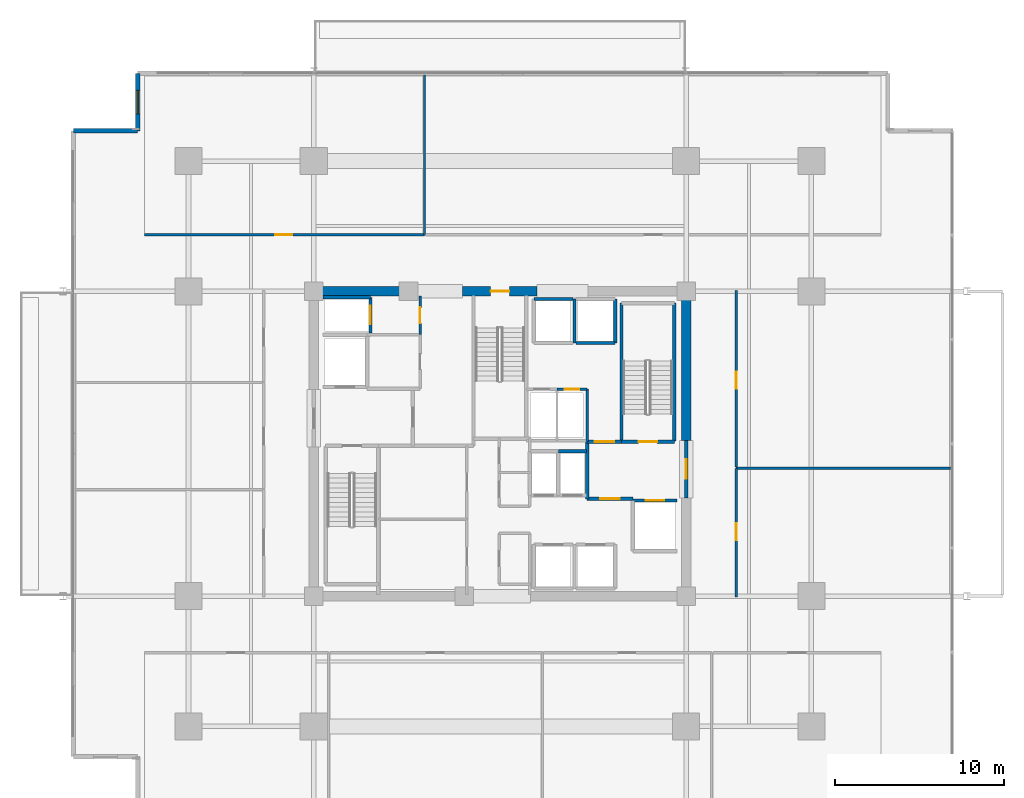
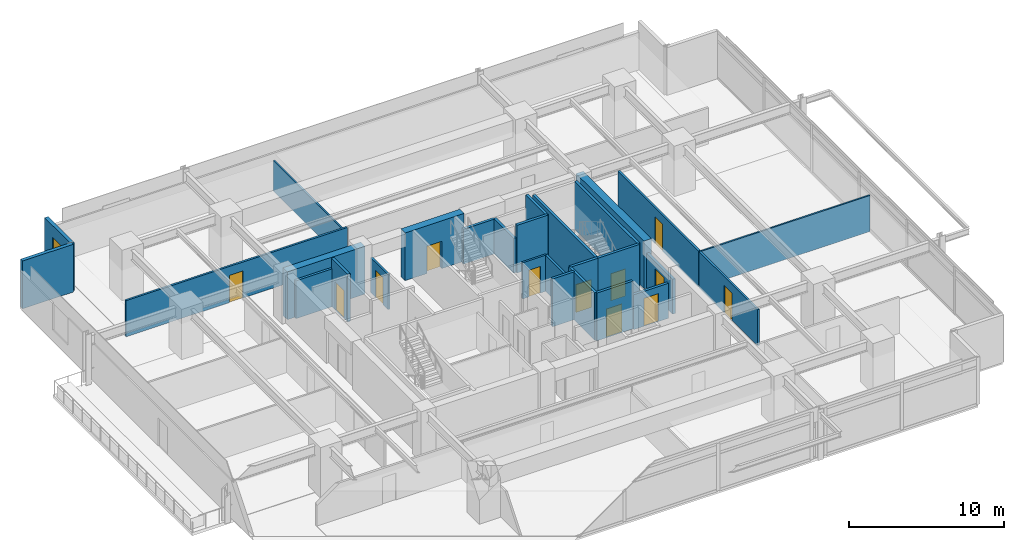
# One storey, part 18 of 23: 28 walls, 12 doors, 1 window, 13 openings.
"""IFC4 building model written with IfcOpenShell, lengths in metres."""

from ifc_helpers import new_model, si_unit, direction, frame, frame_2d, origin, place, context, subcontext, project, spatial, rectangle, extrude, material, layer, layer_set, type_object, element, fill, save


model = new_model("IFC4")

# Units and contexts
model_context = context("Model", 3, precision=1e-05, world=origin(), true_north=direction((0.0, 1.0)))
body_context = subcontext(model_context, "Body", "Model", "MODEL_VIEW")
ifc_project = project(units=[si_unit("LENGTHUNIT", "METRE"), si_unit("AREAUNIT", "SQUARE_METRE"), si_unit("VOLUMEUNIT", "CUBIC_METRE"), si_unit("PLANEANGLEUNIT", "RADIAN"), si_unit("MASSUNIT", "GRAM", prefix="KILO")], contexts=[model_context])

# Site, building, storey
site_placement = place(None, origin())
site = spatial("IfcSite", under=ifc_project, at=site_placement, CompositionType="ELEMENT")
building_placement = place(site_placement, origin())
building = spatial("IfcBuilding", under=site, at=building_placement, Name="Kovane Verandah Tower", CompositionType="ELEMENT")
storey_placement = place(building_placement, frame((0.0, 0.0, 168.39990234375)))
storey = spatial("IfcBuildingStorey", under=building, at=storey_placement, Name="L39", CompositionType="ELEMENT", Elevation=168.39990234375)

# Wall, opening, door
ifc_material_1 = material(Name="Fire-Rated Gypsum Stud Partition", Category="gypsum")
ifc_layer_1 = layer(ifc_material_1, 0.14990234375)
ifc_layer_set_1 = layer_set([ifc_layer_1], Name="Fire-Rated Gypsum Stud Partition")
wall_type_1 = type_object("IfcWallType", Name="WL-COR-150", PredefinedType="PARTITIONING", material=ifc_layer_set_1)
wall_1_placement = place(storey_placement, frame((35.280029296875, 33.949951171875, 0.0), z_axis=(0.0, 0.0, 1.0), x_axis=(0.0, 1.0, 0.0)))
wall_1 = element("IfcWall", 1, at=wall_1_placement, inside=storey, type_object=wall_type_1, Name="L39 Goods Lift Lobby East Fire Partition", PredefinedType="PARTITIONING", context=body_context, shape_type="SweptSolid", body=[
    extrude(rectangle(XDim=2.27001953125, YDim=0.14990234375, at=frame_2d((1.135009765625, 0.0))), origin(), (0.0, 0.0, 1.0), 2.755126953125),
])
opening_1_placement = place(wall_1_placement, frame((0.659912109375, 0.0, 0.0)))
opening_1 = element("IfcOpeningElement", 2, at=opening_1_placement, cuts=wall_1, Name="Opening DR-L39-008", PredefinedType="OPENING", context=body_context, shape_type="SweptSolid", body=[
    extrude(rectangle(XDim=0.949951171875, YDim=2.14990234375, at=frame_2d((0.47509765625, 1.074951171875))), frame((0.0, 0.074951171875, 0.0), z_axis=(0.0, -1.0, 0.0), x_axis=(1.0, 0.0, 0.0)), (0.0, 0.0, 1.0), 0.14990234375),
])
ifc_material_2 = material(Name="Fire-Rated Steel Refuge and Lobby Door", Category="steel")
door_type_1 = type_object("IfcDoorType", Name="DR-FIRE-950", OperationType="SINGLE_SWING_LEFT", PredefinedType="DOOR", material=ifc_material_2)
door_1_placement = place(opening_1_placement, origin())
door_1 = element("IfcDoor", 3, at=door_1_placement, inside=storey, type_object=door_type_1, Name="L39 Goods Lift Lobby Fire Door", OperationType="SINGLE_SWING_RIGHT", OverallHeight=2.14990234375, OverallWidth=0.949951171875, PredefinedType="DOOR", context=body_context, shape_type="SweptSolid", body=[
    extrude(rectangle(XDim=0.949951171875, YDim=2.14990234375, at=frame_2d((0.47509765625, 1.074951171875))), frame((0.0, 0.02490234375, 0.0), z_axis=(0.0, -1.0, 0.0), x_axis=(1.0, 0.0, 0.0)), (0.0, 0.0, 1.0), 0.050048828125),
])
fill(opening_1, door_1)

# Wall
wall_2_placement = place(storey_placement, frame((45.14990234375, 27.6201171875, 0.0), z_axis=(0.0, 0.0, 1.0), x_axis=(0.0, 1.0, 0.0)))
element("IfcWall", 4, at=wall_2_placement, inside=storey, type_object=wall_type_1, Name="L39 East Core Service Riser East Wall", PredefinedType="PARTITIONING", context=body_context, shape_type="SweptSolid", body=[
    extrude(rectangle(XDim=3.099853515625, YDim=0.14990234375, at=frame_2d((1.5498046875, 0.0))), origin(), (0.0, 0.0, 1.0), 2.85009765625),
])

# Wall, opening, door
wall_3_placement = place(storey_placement, frame((43.360107421875, 30.719970703125, 0.0), z_axis=(0.0, 0.0, 1.0), x_axis=(1.0, 0.0, 0.0)))
wall_3 = element("IfcWall", 5, at=wall_3_placement, inside=storey, type_object=wall_type_1, Name="L39 Smoke Extract Duct Room Partition", PredefinedType="PARTITIONING", context=body_context, shape_type="SweptSolid", body=[
    extrude(rectangle(XDim=1.789794921875, YDim=0.14990234375, at=frame_2d((0.89501953125, 0.0))), origin(), (0.0, 0.0, 1.0), 2.85009765625),
])
opening_2_placement = place(wall_3_placement, frame((0.455078125, 0.0, 0.0)))
opening_2 = element("IfcOpeningElement", 6, at=opening_2_placement, cuts=wall_3, Name="Opening DR-L39-017", PredefinedType="OPENING", context=body_context, shape_type="SweptSolid", body=[
    extrude(rectangle(XDim=0.8798828125, YDim=2.10009765625, at=frame_2d((0.43994140625, 1.050048828125))), frame((0.0, 0.074951171875, 0.0), z_axis=(0.0, -1.0, 0.0), x_axis=(1.0, 0.0, 0.0)), (0.0, 0.0, 1.0), 0.14990234375),
])
ifc_material_3 = material(Name="Fire-Rated Steel Riser Access Door", Category="steel")
door_type_2 = type_object("IfcDoorType", Name="DR-RISER-880", OperationType="SINGLE_SWING_LEFT", PredefinedType="DOOR", material=ifc_material_3)
door_2_placement = place(opening_2_placement, origin())
door_2 = element("IfcDoor", 7, at=door_2_placement, inside=storey, type_object=door_type_2, Name="L39 Smoke Extract Duct Room Door", OperationType="SINGLE_SWING_LEFT", OverallHeight=2.10009765625, OverallWidth=0.8798828125, PredefinedType="DOOR", context=body_context, shape_type="SweptSolid", body=[
    extrude(rectangle(XDim=0.8798828125, YDim=2.10009765625, at=frame_2d((0.43994140625, 1.050048828125))), frame((0.0, 0.02490234375, 0.0), z_axis=(0.0, -1.0, 0.0), x_axis=(1.0, 0.0, 0.0)), (0.0, 0.0, 1.0), 0.050048828125),
])
fill(opening_2, door_2)

wall_4_placement = place(storey_placement, frame((18.996826171875, 39.85009765625, 0.0), z_axis=(0.0, 0.0, 1.0), x_axis=(1.0, 0.0, 0.0)))
wall_4 = element("IfcWall", 8, at=wall_4_placement, inside=storey, type_object=wall_type_1, Name="L39 Focus Studio N1 Corridor Partition", PredefinedType="PARTITIONING", context=body_context, shape_type="SweptSolid", body=[
    extrude(rectangle(XDim=16.53857421875, YDim=0.14990234375, at=frame_2d((8.269287109375, 0.0))), origin(), (0.0, 0.0, 1.0), 2.85009765625),
])
opening_3_placement = place(wall_4_placement, frame((7.734375, 0.0, 0.0)))
opening_3 = element("IfcOpeningElement", 9, at=opening_3_placement, cuts=wall_4, Name="Opening DR-L39-018", PredefinedType="OPENING", context=body_context, shape_type="SweptSolid", body=[
    extrude(rectangle(XDim=1.0, YDim=2.14990234375, at=frame_2d((0.5, 1.074951171875))), frame((0.0, 0.074951171875, 0.0), z_axis=(0.0, -1.0, 0.0), x_axis=(1.0, 0.0, 0.0)), (0.0, 0.0, 1.0), 0.14990234375),
])
ifc_material_4 = material(Name="FSC Spotted-Gum Timber Fire-Rated Office Door", Category="wood")
door_type_3 = type_object("IfcDoorType", Name="DR-OFF-1000", OperationType="SINGLE_SWING_LEFT", PredefinedType="DOOR", material=ifc_material_4)
door_3_placement = place(opening_3_placement, origin())
door_3 = element("IfcDoor", 10, at=door_3_placement, inside=storey, type_object=door_type_3, Name="L39 Focus Studio N1 Entrance Door", OperationType="SINGLE_SWING_RIGHT", OverallHeight=2.14990234375, OverallWidth=1.0, PredefinedType="DOOR", context=body_context, shape_type="SweptSolid", body=[
    extrude(rectangle(XDim=1.0, YDim=2.14990234375, at=frame_2d((0.5, 1.074951171875))), frame((0.0, 0.02490234375, 0.0), z_axis=(0.0, -1.0, 0.0), x_axis=(1.0, 0.0, 0.0)), (0.0, 0.0, 1.0), 0.050048828125),
])
fill(opening_3, door_3)

wall_5_placement = place(storey_placement, frame((53.949951171875, 18.449951171875, 0.0), z_axis=(0.0, 0.0, 1.0), x_axis=(0.0, 1.0, 0.0)))
wall_5 = element("IfcWall", 11, at=wall_5_placement, inside=storey, type_object=wall_type_1, Name="L39 Breakout Pantry E1 Corridor Partition", PredefinedType="PARTITIONING", context=body_context, shape_type="SweptSolid", body=[
    extrude(rectangle(XDim=7.60205078125, YDim=0.14990234375, at=frame_2d((3.801025390625, 0.0))), origin(), (0.0, 0.0, 1.0), 2.85009765625),
])
opening_4_placement = place(wall_5_placement, frame((3.341064453125, 0.0, 0.0)))
opening_4 = element("IfcOpeningElement", 12, at=opening_4_placement, cuts=wall_5, Name="Opening DR-L39-012", PredefinedType="OPENING", context=body_context, shape_type="SweptSolid", body=[
    extrude(rectangle(XDim=1.0, YDim=2.14990234375, at=frame_2d((0.5, 1.074951171875))), frame((0.0, 0.074951171875, 0.0), z_axis=(0.0, -1.0, 0.0), x_axis=(1.0, 0.0, 0.0)), (0.0, 0.0, 1.0), 0.14990234375),
])
door_4_placement = place(opening_4_placement, origin())
door_4 = element("IfcDoor", 13, at=door_4_placement, inside=storey, type_object=door_type_3, Name="L39 Breakout Pantry E1 Entrance Door", OperationType="SINGLE_SWING_LEFT", OverallHeight=2.14990234375, OverallWidth=1.0, PredefinedType="DOOR", context=body_context, shape_type="SweptSolid", body=[
    extrude(rectangle(XDim=1.0, YDim=2.14990234375, at=frame_2d((0.5, 1.074951171875))), frame((0.0, 0.02490234375, 0.0), z_axis=(0.0, -1.0, 0.0), x_axis=(1.0, 0.0, 0.0)), (0.0, 0.0, 1.0), 0.050048828125),
])
fill(opening_4, door_4)

wall_6_placement = place(storey_placement, frame((53.949951171875, 26.1220703125, 0.0), z_axis=(0.0, 0.0, 1.0), x_axis=(0.0, 1.0, 0.0)))
wall_6 = element("IfcWall", 14, at=wall_6_placement, inside=storey, type_object=wall_type_1, Name="L39 Collaboration Hub E2 Corridor Partition", PredefinedType="PARTITIONING", context=body_context, shape_type="SweptSolid", body=[
    extrude(rectangle(XDim=10.427978515625, YDim=0.14990234375, at=frame_2d((5.2138671875, 0.0))), origin(), (0.0, 0.0, 1.0), 2.85009765625),
])
opening_5_placement = place(wall_6_placement, frame((4.638916015625, 0.0, 0.0)))
opening_5 = element("IfcOpeningElement", 15, at=opening_5_placement, cuts=wall_6, Name="Opening DR-L39-013", PredefinedType="OPENING", context=body_context, shape_type="SweptSolid", body=[
    extrude(rectangle(XDim=1.0, YDim=2.14990234375, at=frame_2d((0.5, 1.074951171875))), frame((0.0, 0.074951171875, 0.0), z_axis=(0.0, -1.0, 0.0), x_axis=(1.0, 0.0, 0.0)), (0.0, 0.0, 1.0), 0.14990234375),
])
door_5_placement = place(opening_5_placement, origin())
door_5 = element("IfcDoor", 16, at=door_5_placement, inside=storey, type_object=door_type_3, Name="L39 Collaboration Hub E2 Entrance Door", OperationType="SINGLE_SWING_RIGHT", OverallHeight=2.14990234375, OverallWidth=1.0, PredefinedType="DOOR", context=body_context, shape_type="SweptSolid", body=[
    extrude(rectangle(XDim=1.0, YDim=2.14990234375, at=frame_2d((0.5, 1.074951171875))), frame((0.0, 0.02490234375, 0.0), z_axis=(0.0, -1.0, 0.0), x_axis=(1.0, 0.0, 0.0)), (0.0, 0.0, 1.0), 0.050048828125),
])
fill(opening_5, door_5)

# Wall
ifc_material_5 = material(Name="Concrete C60/75", Category="concrete")
ifc_layer_2 = layer(ifc_material_5, 0.550048828125)
ifc_layer_set_2 = layer_set([ifc_layer_2], Name="Concrete C60/75")
wall_type_2 = type_object("IfcWallType", Name="WL-CORE-550", PredefinedType="SHEAR", material=ifc_layer_set_2)
wall_7_placement = place(storey_placement, frame((29.0, 36.5, 0.0), z_axis=(0.0, 0.0, 1.0), x_axis=(1.0, 0.0, 0.0)))
element("IfcWall", 17, at=wall_7_placement, inside=storey, type_object=wall_type_2, Name="L39 Core Shear Wall CN-1", PredefinedType="SHEAR", context=body_context, shape_type="SweptSolid", body=[
    extrude(rectangle(XDim=5.800048828125, YDim=0.550048828125, at=frame_2d((2.89990234375, 0.0))), origin(), (0.0, 0.0, 1.0), 3.775146484375),
])

# Wall, opening, door
wall_8_placement = place(storey_placement, frame((37.800048828125, 36.5, 0.0), z_axis=(0.0, 0.0, 1.0), x_axis=(1.0, 0.0, 0.0)))
wall_8 = element("IfcWall", 18, at=wall_8_placement, inside=storey, type_object=wall_type_2, Name="L39 Core Shear Wall CN-2", PredefinedType="SHEAR", context=body_context, shape_type="SweptSolid", body=[
    extrude(rectangle(XDim=4.39990234375, YDim=0.550048828125, at=frame_2d((2.199951171875, 0.0))), origin(), (0.0, 0.0, 1.0), 3.775146484375),
])
opening_6_placement = place(wall_8_placement, frame((1.64990234375, 0.0, 0.0)))
opening_6 = element("IfcOpeningElement", 19, at=opening_6_placement, cuts=wall_8, Name="Opening DR-L39-011", PredefinedType="OPENING", context=body_context, shape_type="SweptSolid", body=[
    extrude(rectangle(XDim=1.10009765625, YDim=2.14990234375, at=frame_2d((0.550048828125, 1.074951171875))), frame((0.0, 0.27490234375, 0.0), z_axis=(0.0, -1.0, 0.0), x_axis=(1.0, 0.0, 0.0)), (0.0, 0.0, 1.0), 0.550048828125),
])
ifc_material_6 = material(Name="Fire-Rated Steel Exit Door", Category="steel")
door_type_4 = type_object("IfcDoorType", Name="DR-STAIR-1100", OperationType="SINGLE_SWING_LEFT", PredefinedType="DOOR", material=ifc_material_6)
door_6_placement = place(opening_6_placement, origin())
door_6 = element("IfcDoor", 20, at=door_6_placement, inside=storey, type_object=door_type_4, Name="L39 ST-03 Fire Exit Stair Door", OperationType="SINGLE_SWING_RIGHT", OverallHeight=2.14990234375, OverallWidth=1.10009765625, PredefinedType="DOOR", context=body_context, shape_type="SweptSolid", body=[
    extrude(rectangle(XDim=1.10009765625, YDim=2.14990234375, at=frame_2d((0.550048828125, 1.074951171875))), frame((0.0, 0.02490234375, 0.0), z_axis=(0.0, -1.0, 0.0), x_axis=(1.0, 0.0, 0.0)), (0.0, 0.0, 1.0), 0.050048828125),
])
fill(opening_6, door_6)

# Walls
wall_9_placement = place(storey_placement, frame((51.0, 27.699951171875, 0.0), z_axis=(0.0, 0.0, 1.0), x_axis=(0.0, 1.0, 0.0)))
element("IfcWall", 21, at=wall_9_placement, inside=storey, type_object=wall_type_2, Name="L39 Core Shear Wall CE-2", PredefinedType="SHEAR", context=body_context, shape_type="SweptSolid", body=[
    extrude(rectangle(XDim=8.800048828125, YDim=0.550048828125, at=frame_2d((4.39990234375, 0.0))), origin(), (0.0, 0.0, 1.0), 3.775146484375),
])
ifc_material_7 = material(Name="Concrete C45/55 Fire Wall", Category="concrete")
ifc_layer_3 = layer(ifc_material_7, 0.199951171875)
ifc_layer_set_3 = layer_set([ifc_layer_3], Name="Concrete C45/55 Fire Wall")
wall_type_3 = type_object("IfcWallType", Name="WL-FFL-200", PredefinedType="PARTITIONING", material=ifc_layer_set_3)
wall_10_placement = place(storey_placement, frame((45.14990234375, 24.25, 0.0), z_axis=(0.0, 0.0, 1.0), x_axis=(0.0, 1.0, 0.0)))
element("IfcWall", 22, at=wall_10_placement, inside=storey, type_object=wall_type_3, Name="L39 East Firefighting Lobby West Fire Wall", PredefinedType="PARTITIONING", context=body_context, shape_type="SweptSolid", body=[
    extrude(rectangle(XDim=3.3701171875, YDim=0.199951171875, at=frame_2d((1.68505859375, 0.0))), origin(), (0.0, 0.0, 1.0), 3.775146484375),
])

# Wall, opening, door
wall_11_placement = place(storey_placement, frame((45.14990234375, 24.25, 0.0), z_axis=(0.0, 0.0, 1.0), x_axis=(1.0, 0.0, 0.0)))
wall_11 = element("IfcWall", 23, at=wall_11_placement, inside=storey, type_object=wall_type_3, Name="W-L39-FFLE-S", PredefinedType="PARTITIONING", context=body_context, shape_type="SweptSolid", body=[
    extrude(rectangle(XDim=2.7001953125, YDim=0.199951171875, at=frame_2d((1.35009765625, 0.0))), origin(), (0.0, 0.0, 1.0), 3.775146484375),
])
opening_7_placement = place(wall_11_placement, frame((0.77490234375, 0.0, 0.0)))
opening_7 = element("IfcOpeningElement", 24, at=opening_7_placement, cuts=wall_11, Name="Opening DR-L39-003", PredefinedType="OPENING", context=body_context, shape_type="SweptSolid", body=[
    extrude(rectangle(XDim=1.14990234375, YDim=2.199951171875, at=frame_2d((0.574951171875, 1.10009765625))), frame((0.0, 0.10009765625, 0.0), z_axis=(0.0, -1.0, 0.0), x_axis=(1.0, 0.0, 0.0)), (0.0, 0.0, 1.0), 0.199951171875),
])
ifc_material_8 = material(Name="Smoke-Sealed Firefighting Lobby Door", Category="steel")
door_type_5 = type_object("IfcDoorType", Name="DR-FFL-1150", OperationType="SINGLE_SWING_LEFT", PredefinedType="DOOR", material=ifc_material_8)
door_7_placement = place(opening_7_placement, origin())
door_7 = element("IfcDoor", 25, at=door_7_placement, inside=storey, type_object=door_type_5, Name="L39 East Firefighting Lobby Inner Door", OperationType="SINGLE_SWING_RIGHT", OverallHeight=2.199951171875, OverallWidth=1.14990234375, PredefinedType="DOOR", context=body_context, shape_type="SweptSolid", body=[
    extrude(rectangle(XDim=1.14990234375, YDim=2.199951171875, at=frame_2d((0.574951171875, 1.10009765625))), frame((0.0, 0.02490234375, 0.0), z_axis=(0.0, -1.0, 0.0), x_axis=(1.0, 0.0, 0.0)), (0.0, 0.0, 1.0), 0.050048828125),
])
fill(opening_7, door_7)

wall_12_placement = place(storey_placement, frame((45.14990234375, 27.6201171875, 0.0), z_axis=(0.0, 0.0, 1.0), x_axis=(1.0, 0.0, 0.0)))
wall_12 = element("IfcWall", 26, at=wall_12_placement, inside=storey, type_object=wall_type_3, Name="W-L39-FFLE-N", PredefinedType="PARTITIONING", context=body_context, shape_type="SweptSolid", body=[
    extrude(rectangle(XDim=2.030029296875, YDim=0.199951171875, at=frame_2d((1.01513671875, 0.0))), origin(), (0.0, 0.0, 1.0), 3.775146484375),
])
opening_8_placement = place(wall_12_placement, frame((0.43994140625, 0.0, 0.0)))
opening_8 = element("IfcOpeningElement", 27, at=opening_8_placement, cuts=wall_12, Name="Opening DR-L39-004", PredefinedType="OPENING", context=body_context, shape_type="SweptSolid", body=[
    extrude(rectangle(XDim=1.14990234375, YDim=2.199951171875, at=frame_2d((0.574951171875, 1.10009765625))), frame((0.0, 0.10009765625, 0.0), z_axis=(0.0, -1.0, 0.0), x_axis=(1.0, 0.0, 0.0)), (0.0, 0.0, 1.0), 0.199951171875),
])
door_8_placement = place(opening_8_placement, origin())
door_8 = element("IfcDoor", 28, at=door_8_placement, inside=storey, type_object=door_type_5, Name="L39 East Firefighting Lobby Shuttle Link Door", OperationType="SINGLE_SWING_LEFT", OverallHeight=2.199951171875, OverallWidth=1.14990234375, PredefinedType="DOOR", context=body_context, shape_type="SweptSolid", body=[
    extrude(rectangle(XDim=1.14990234375, YDim=2.199951171875, at=frame_2d((0.574951171875, 1.10009765625))), frame((0.0, 0.02490234375, 0.0), z_axis=(0.0, -1.0, 0.0), x_axis=(1.0, 0.0, 0.0)), (0.0, 0.0, 1.0), 0.050048828125),
])
fill(opening_8, door_8)

wall_13_placement = place(storey_placement, frame((51.0, 24.300048828125, 0.0), z_axis=(0.0, 0.0, 1.0), x_axis=(0.0, 1.0, 0.0)))
wall_13 = element("IfcWall", 29, at=wall_13_placement, inside=storey, type_object=wall_type_3, Name="W-L39-FFLE-OUT", PredefinedType="PARTITIONING", context=body_context, shape_type="SweptSolid", body=[
    extrude(rectangle(XDim=3.39990234375, YDim=0.199951171875, at=frame_2d((1.699951171875, 0.0))), origin(), (0.0, 0.0, 1.0), 2.755126953125),
])
opening_9_placement = place(wall_13_placement, frame((1.125, 0.0, 0.0)))
opening_9 = element("IfcOpeningElement", 30, at=opening_9_placement, cuts=wall_13, Name="Opening DR-L39-005", PredefinedType="OPENING", context=body_context, shape_type="SweptSolid", body=[
    extrude(rectangle(XDim=1.14990234375, YDim=2.199951171875, at=frame_2d((0.574951171875, 1.10009765625))), frame((0.0, 0.10009765625, 0.0), z_axis=(0.0, -1.0, 0.0), x_axis=(1.0, 0.0, 0.0)), (0.0, 0.0, 1.0), 0.199951171875),
])
door_9_placement = place(opening_9_placement, origin())
door_9 = element("IfcDoor", 31, at=door_9_placement, inside=storey, type_object=door_type_5, Name="L39 East Firefighting Lobby Corridor Door", OperationType="SINGLE_SWING_LEFT", OverallHeight=2.199951171875, OverallWidth=1.14990234375, PredefinedType="DOOR", context=body_context, shape_type="SweptSolid", body=[
    extrude(rectangle(XDim=1.14990234375, YDim=2.199951171875, at=frame_2d((0.574951171875, 1.10009765625))), frame((0.0, 0.02490234375, 0.0), z_axis=(0.0, -1.0, 0.0), x_axis=(1.0, 0.0, 0.0)), (0.0, 0.0, 1.0), 0.050048828125),
])
fill(opening_9, door_9)

ifc_material_9 = material(Name="Concrete C45/55 Lift Shaft Wall", Category="concrete")
ifc_layer_4 = layer(ifc_material_9, 0.199951171875)
ifc_layer_set_4 = layer_set([ifc_layer_4], Name="Concrete C45/55 Lift Shaft Wall")
wall_type_4 = type_object("IfcWallType", Name="WL-LIFT-200", PredefinedType="SOLIDWALL", material=ifc_layer_set_4)
wall_14_placement = place(storey_placement, frame((50.449951171875, 24.14990234375, 0.0), z_axis=(0.0, 0.0, 1.0), x_axis=(-1.0, 0.0, 0.0)))
wall_14 = element("IfcWall", 32, at=wall_14_placement, inside=storey, type_object=wall_type_4, Name="L39 Lift FL-02 N Shaft Wall", PredefinedType="SOLIDWALL", context=body_context, shape_type="SweptSolid", body=[
    extrude(rectangle(XDim=2.599853515625, YDim=0.199951171875, at=frame_2d((1.2998046875, 0.0))), origin(), (0.0, 0.0, 1.0), 2.755126953125),
])
opening_10_placement = place(wall_14_placement, frame((0.75, 0.0, 0.0)))
opening_10 = element("IfcOpeningElement", 33, at=opening_10_placement, cuts=wall_14, Name="Opening LD-L39-002", PredefinedType="OPENING", context=body_context, shape_type="SweptSolid", body=[
    extrude(rectangle(XDim=1.10009765625, YDim=2.199951171875, at=frame_2d((0.550048828125, 1.10009765625))), frame((0.0, 0.10009765625, 0.0), z_axis=(0.0, -1.0, 0.0), x_axis=(1.0, 0.0, 0.0)), (0.0, 0.0, 1.0), 0.199951171875),
])
ifc_material_10 = material(Name="Brushed Stainless Steel Sliding Lift Landing Door", Category="steel")
door_type_6 = type_object("IfcDoorType", Name="DR-LIFT-1100", OperationType="SLIDING_TO_RIGHT", PredefinedType="DOOR", material=ifc_material_10)
door_10_placement = place(opening_10_placement, origin())
door_10 = element("IfcDoor", 34, at=door_10_placement, inside=storey, type_object=door_type_6, Name="L39 Lift FL-02 Sliding Landing Door", OperationType="SLIDING_TO_RIGHT", OverallHeight=2.199951171875, OverallWidth=1.10009765625, PredefinedType="DOOR", context=body_context, shape_type="SweptSolid", body=[
    extrude(rectangle(XDim=1.10009765625, YDim=2.199951171875, at=frame_2d((0.550048828125, 1.10009765625))), frame((0.0, 0.02490234375, 0.0), z_axis=(0.0, -1.0, 0.0), x_axis=(1.0, 0.0, 0.0)), (0.0, 0.0, 1.0), 0.050048828125),
])
fill(opening_10, door_10)

# Wall
wall_15_placement = place(storey_placement, frame((32.35009765625, 36.14990234375, 0.0), z_axis=(0.0, 0.0, 1.0), x_axis=(-1.0, 0.0, 0.0)))
element("IfcWall", 35, at=wall_15_placement, inside=storey, type_object=wall_type_4, Name="L39 Lift GL-01 N Shaft Wall", PredefinedType="SOLIDWALL", context=body_context, shape_type="SweptSolid", body=[
    extrude(rectangle(XDim=2.800048828125, YDim=0.199951171875, at=frame_2d((1.39990234375, 0.0))), origin(), (0.0, 0.0, 1.0), 2.9853515625),
])

# Wall, opening, door
wall_16_placement = place(storey_placement, frame((32.35009765625, 34.050048828125, 0.0), z_axis=(0.0, 0.0, 1.0), x_axis=(0.0, 1.0, 0.0)))
wall_16 = element("IfcWall", 36, at=wall_16_placement, inside=storey, type_object=wall_type_4, Name="L39 Lift GL-01 E Shaft Wall", PredefinedType="SOLIDWALL", context=body_context, shape_type="SweptSolid", body=[
    extrude(rectangle(XDim=2.099853515625, YDim=0.199951171875, at=frame_2d((1.0498046875, 0.0))), origin(), (0.0, 0.0, 1.0), 3.775146484375),
])
opening_11_placement = place(wall_16_placement, frame((0.5, 0.0, 0.0)))
opening_11 = element("IfcOpeningElement", 37, at=opening_11_placement, cuts=wall_16, Name="Opening LD-L39-003", PredefinedType="OPENING", context=body_context, shape_type="SweptSolid", body=[
    extrude(rectangle(XDim=1.10009765625, YDim=2.199951171875, at=frame_2d((0.550048828125, 1.10009765625))), frame((0.0, 0.10009765625, 0.0), z_axis=(0.0, -1.0, 0.0), x_axis=(1.0, 0.0, 0.0)), (0.0, 0.0, 1.0), 0.199951171875),
])
door_11_placement = place(opening_11_placement, origin())
door_11 = element("IfcDoor", 38, at=door_11_placement, inside=storey, type_object=door_type_6, Name="L39 Lift GL-01 Sliding Landing Door", OperationType="SLIDING_TO_RIGHT", OverallHeight=2.199951171875, OverallWidth=1.10009765625, PredefinedType="DOOR", context=body_context, shape_type="SweptSolid", body=[
    extrude(rectangle(XDim=1.10009765625, YDim=2.199951171875, at=frame_2d((0.550048828125, 1.10009765625))), frame((0.0, 0.02490234375, 0.0), z_axis=(0.0, -1.0, 0.0), x_axis=(1.0, 0.0, 0.0)), (0.0, 0.0, 1.0), 0.050048828125),
])
fill(opening_11, door_11)

# Walls
wall_17_placement = place(storey_placement, frame((45.1201171875, 27.050048828125, 0.0), z_axis=(0.0, 0.0, 1.0), x_axis=(-1.0, 0.0, 0.0)))
element("IfcWall", 39, at=wall_17_placement, inside=storey, type_object=wall_type_4, Name="L39 Lift PL-M4 N Shaft Wall", PredefinedType="SOLIDWALL", context=body_context, shape_type="SweptSolid", body=[
    extrude(rectangle(XDim=1.66015625, YDim=0.199951171875, at=frame_2d((0.830078125, 0.0))), origin(), (0.0, 0.0, 1.0), 3.775146484375),
])
wall_18_placement = place(storey_placement, frame((44.300048828125, 36.050048828125, 0.0), z_axis=(0.0, 0.0, 1.0), x_axis=(-1.0, 0.0, 0.0)))
element("IfcWall", 40, at=wall_18_placement, inside=storey, type_object=wall_type_4, Name="L39 Lift SL-01 N Shaft Wall", PredefinedType="SOLIDWALL", context=body_context, shape_type="SweptSolid", body=[
    extrude(rectangle(XDim=2.300048828125, YDim=0.199951171875, at=frame_2d((1.14990234375, 0.0))), origin(), (0.0, 0.0, 1.0), 2.755126953125),
])
wall_19_placement = place(storey_placement, frame((44.39990234375, 33.449951171875, 0.0), z_axis=(0.0, 0.0, 1.0), x_axis=(0.0, 1.0, 0.0)))
element("IfcWall", 41, at=wall_19_placement, inside=storey, type_object=wall_type_4, Name="L39 Lift OL-01 and SL-01 Shared Shaft Wall", PredefinedType="SOLIDWALL", context=body_context, shape_type="SweptSolid", body=[
    extrude(rectangle(XDim=2.60009765625, YDim=0.199951171875, at=frame_2d((1.300048828125, 0.0))), origin(), (0.0, 0.0, 1.0), 2.755126953125),
])
wall_20_placement = place(storey_placement, frame((44.5, 33.449951171875, 0.0), z_axis=(0.0, 0.0, 1.0), x_axis=(1.0, 0.0, 0.0)))
element("IfcWall", 42, at=wall_20_placement, inside=storey, type_object=wall_type_4, Name="L39 Lift OL-01 S Shaft Wall", PredefinedType="SOLIDWALL", context=body_context, shape_type="SweptSolid", body=[
    extrude(rectangle(XDim=2.300048828125, YDim=0.199951171875, at=frame_2d((1.14990234375, 0.0))), origin(), (0.0, 0.0, 1.0), 3.775146484375),
])
wall_21_placement = place(storey_placement, frame((46.800048828125, 33.449951171875, 0.0), z_axis=(0.0, 0.0, 1.0), x_axis=(0.0, 1.0, 0.0)))
element("IfcWall", 43, at=wall_21_placement, inside=storey, type_object=wall_type_4, Name="L39 Lift OL-01 E Shaft Wall", PredefinedType="SOLIDWALL", context=body_context, shape_type="SweptSolid", body=[
    extrude(rectangle(XDim=2.60009765625, YDim=0.199951171875, at=frame_2d((1.300048828125, 0.0))), origin(), (0.0, 0.0, 1.0), 3.775146484375),
])
ifc_material_11 = material(Name="Acoustic Fire-Rated Gypsum Partition", Category="gypsum")
ifc_layer_5 = layer(ifc_material_11, 0.1201171875)
ifc_layer_set_5 = layer_set([ifc_layer_5], Name="Acoustic Fire-Rated Gypsum Partition")
wall_type_5 = type_object("IfcWallType", Name="WL-PART-120", PredefinedType="PARTITIONING", material=ifc_layer_set_5)
wall_22_placement = place(storey_placement, frame((35.535400390625, 39.85009765625, 0.0), z_axis=(0.0, 0.0, 1.0), x_axis=(0.0, 1.0, 0.0)))
element("IfcWall", 44, at=wall_22_placement, inside=storey, type_object=wall_type_5, Name="L39 Focus Studio N1 Dividing Partition", PredefinedType="PARTITIONING", context=body_context, shape_type="SweptSolid", body=[
    extrude(rectangle(XDim=9.43212890625, YDim=0.1201171875, at=frame_2d((4.716064453125, 0.0))), origin(), (0.0, 0.0, 1.0), 2.405029296875),
])
wall_23_placement = place(storey_placement, frame((53.949951171875, 26.052001953125, 0.0), z_axis=(0.0, 0.0, 1.0), x_axis=(1.0, 0.0, 0.0)))
element("IfcWall", 45, at=wall_23_placement, inside=storey, type_object=wall_type_5, Name="L39 Breakout Pantry E1 Dividing Partition", PredefinedType="PARTITIONING", context=body_context, shape_type="SweptSolid", body=[
    extrude(rectangle(XDim=12.669921875, YDim=0.1201171875, at=frame_2d((6.3349609375, 0.0))), origin(), (0.0, 0.0, 1.0), 2.85009765625),
])
ifc_material_12 = material(Name="Concrete C45/55", Category="concrete")
ifc_layer_6 = layer(ifc_material_12, 0.199951171875)
ifc_layer_set_6 = layer_set([ifc_layer_6], Name="Concrete C45/55")
wall_type_6 = type_object("IfcWallType", Name="WL-SHAFT-200", PredefinedType="SOLIDWALL", material=ifc_layer_set_6)
wall_24_placement = place(storey_placement, frame((50.300048828125, 27.64990234375, 0.0), z_axis=(0.0, 0.0, 1.0), x_axis=(0.0, 1.0, 0.0)))
element("IfcWall", 46, at=wall_24_placement, inside=storey, type_object=wall_type_6, Name="W-L39-ST02-E", PredefinedType="SOLIDWALL", context=body_context, shape_type="SweptSolid", body=[
    extrude(rectangle(XDim=8.150146484375, YDim=0.199951171875, at=frame_2d((4.0751953125, 0.0))), origin(), (0.0, 0.0, 1.0), 3.775146484375),
])
wall_25_placement = place(storey_placement, frame((47.179931640625, 27.6201171875, 0.0), z_axis=(0.0, 0.0, 1.0), x_axis=(0.0, 1.0, 0.0)))
element("IfcWall", 47, at=wall_25_placement, inside=storey, type_object=wall_type_6, Name="W-L39-ST02-W", PredefinedType="SOLIDWALL", context=body_context, shape_type="SweptSolid", body=[
    extrude(rectangle(XDim=8.179931640625, YDim=0.199951171875, at=frame_2d((4.08984375, 0.0))), origin(), (0.0, 0.0, 1.0), 3.775146484375),
])

# Wall, opening, door
wall_26_placement = place(storey_placement, frame((47.179931640625, 27.6201171875, 0.0), z_axis=(0.0, 0.0, 1.0), x_axis=(1.0, 0.0, 0.0)))
wall_26 = element("IfcWall", 48, at=wall_26_placement, inside=storey, type_object=wall_type_6, Name="W-L39-ST02-S", PredefinedType="SOLIDWALL", context=body_context, shape_type="SweptSolid", body=[
    extrude(rectangle(XDim=3.1201171875, YDim=0.199951171875, at=frame_2d((1.56005859375, 0.0))), origin(), (0.0, 0.0, 1.0), 3.775146484375),
])
opening_12_placement = place(wall_26_placement, frame((1.010009765625, 0.0, 0.0)))
opening_12 = element("IfcOpeningElement", 49, at=opening_12_placement, cuts=wall_26, Name="Opening DR-L39-010", PredefinedType="OPENING", context=body_context, shape_type="SweptSolid", body=[
    extrude(rectangle(XDim=1.10009765625, YDim=2.14990234375, at=frame_2d((0.550048828125, 1.074951171875))), frame((0.0, 0.10009765625, 0.0), z_axis=(0.0, -1.0, 0.0), x_axis=(1.0, 0.0, 0.0)), (0.0, 0.0, 1.0), 0.199951171875),
])
door_12_placement = place(opening_12_placement, origin())
door_12 = element("IfcDoor", 50, at=door_12_placement, inside=storey, type_object=door_type_4, Name="L39 ST-02 Fire Exit Stair Door", OperationType="SINGLE_SWING_LEFT", OverallHeight=2.14990234375, OverallWidth=1.10009765625, PredefinedType="DOOR", context=body_context, shape_type="SweptSolid", body=[
    extrude(rectangle(XDim=1.10009765625, YDim=2.14990234375, at=frame_2d((0.550048828125, 1.074951171875))), frame((0.0, 0.02490234375, 0.0), z_axis=(0.0, -1.0, 0.0), x_axis=(1.0, 0.0, 0.0)), (0.0, 0.0, 1.0), 0.050048828125),
])
fill(opening_12, door_12)

# Wall, opening, window
ifc_material_13 = material(Name="Concrete C45/55 Insulated Spandrel Wall", Category="concrete")
ifc_layer_7 = layer(ifc_material_13, 0.260009765625)
ifc_layer_set_7 = layer_set([ifc_layer_7], Name="Concrete C45/55 Insulated Spandrel Wall")
wall_type_7 = type_object("IfcWallType", Name="WL-SPANDREL-260", PredefinedType="PARAPET", material=ifc_layer_set_7)
wall_27_placement = place(storey_placement, frame((18.5966796875, 49.382080078125, 0.0), z_axis=(0.0, 0.0, 1.0), x_axis=(0.0, -1.0, 0.0)))
wall_27 = element("IfcWall", 51, at=wall_27_placement, inside=storey, type_object=wall_type_7, Name="L39 NW Notch Cheek Wall 1", PredefinedType="PARAPET", context=body_context, shape_type="SweptSolid", body=[
    extrude(rectangle(XDim=3.39990234375, YDim=0.260009765625, at=frame_2d((1.699951171875, 0.0))), origin(), (0.0, 0.0, 1.0), 3.775146484375),
])
opening_13_placement = place(wall_27_placement, frame((1.0, 0.0, 0.85009765625)))
opening_13 = element("IfcOpeningElement", 52, at=opening_13_placement, cuts=wall_27, Name="Opening W-01", PredefinedType="OPENING", context=body_context, shape_type="SweptSolid", body=[
    extrude(rectangle(XDim=1.39990234375, YDim=2.0, at=frame_2d((0.699951171875, 1.0))), frame((0.0, 0.1298828125, 0.0), z_axis=(0.0, -1.0, 0.0), x_axis=(1.0, 0.0, 0.0)), (0.0, 0.0, 1.0), 0.260009765625),
])
ifc_material_14 = material(Name="Clear Low-E Laminated Double Glazing in Anodised Frame", Category="glass")
window_type = type_object("IfcWindowType", Name="WN-OPER-1400x2000", PartitioningType="SINGLE_PANEL", PredefinedType="WINDOW", material=ifc_material_14)
window_placement = place(opening_13_placement, origin())
window = element("IfcWindow", 53, at=window_placement, inside=storey, type_object=window_type, Name="L39 NW Re-Entrant Corner Operable Window", OverallHeight=2.0, OverallWidth=1.39990234375, PartitioningType="SINGLE_PANEL", PredefinedType="WINDOW", context=body_context, shape_type="SweptSolid", body=[
    extrude(rectangle(XDim=1.39990234375, YDim=2.0, at=frame_2d((0.699951171875, 1.0))), frame((0.0, 0.030029296875, 0.0), z_axis=(0.0, -1.0, 0.0), x_axis=(1.0, 0.0, 0.0)), (0.0, 0.0, 1.0), 0.06005859375),
])
fill(opening_13, window)

# Wall
wall_28_placement = place(storey_placement, frame((18.5966796875, 45.982177734375, 0.0), z_axis=(0.0, 0.0, 1.0), x_axis=(-1.0, 0.0, 0.0)))
element("IfcWall", 54, at=wall_28_placement, inside=storey, type_object=wall_type_7, Name="L39 NW Notch Cheek Wall 2", PredefinedType="PARAPET", context=body_context, shape_type="SweptSolid", body=[
    extrude(rectangle(XDim=3.7998046875, YDim=0.260009765625, at=frame_2d((1.89990234375, 0.0))), origin(), (0.0, 0.0, 1.0), 3.775146484375),
])

save(model, "model.ifc")
